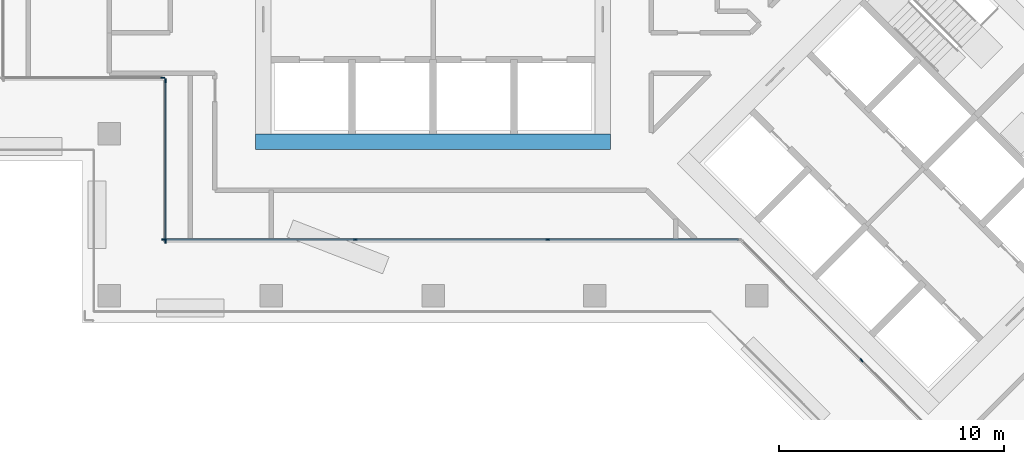
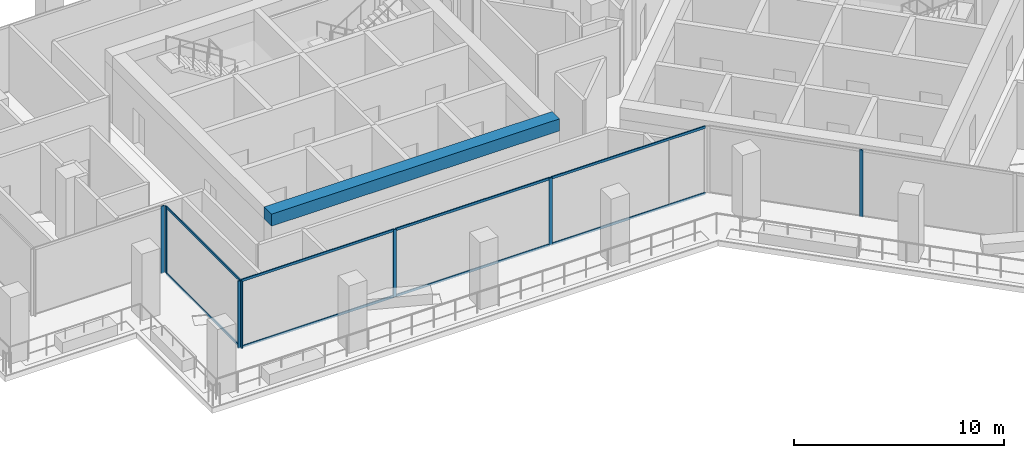
# One storey, part 3 of 21: 15 members, 1 beam, 4 elements without a shape of their own.
"""IFC4 building model written with IfcOpenShell, lengths in metres."""

from ifc_helpers import new_model, si_unit, direction, frame, origin, origin_2d, place, context, subcontext, project, spatial, rectangle, extrude, material, material_profile, profile_set, type_object, element, aggregate, save


model = new_model("IFC4")

# Units and contexts
model_context = context("Model", 3, precision=1e-05, world=origin(), true_north=direction((0.0, 1.0)))
body_context = subcontext(model_context, "Body", "Model", "MODEL_VIEW")
ifc_project = project(units=[si_unit("LENGTHUNIT", "METRE"), si_unit("AREAUNIT", "SQUARE_METRE"), si_unit("VOLUMEUNIT", "CUBIC_METRE"), si_unit("PLANEANGLEUNIT", "RADIAN"), si_unit("MASSUNIT", "GRAM", prefix="KILO")], contexts=[model_context])

# Site, building, storey
site_placement = place(None, origin())
site = spatial("IfcSite", under=ifc_project, at=site_placement, CompositionType="ELEMENT")
building_placement = place(site_placement, origin())
building = spatial("IfcBuilding", under=site, at=building_placement, Name="Windrow Commons", CompositionType="ELEMENT")
storey_placement = place(building_placement, frame((0.0, 0.0, 131.2)))
storey = spatial("IfcBuildingStorey", under=building, at=storey_placement, Name="L35", CompositionType="ELEMENT", Elevation=131.2)

# Curtain wall, member
ifc_material_1 = material(Name="Clear laminated glass in Aluminium 6063-T6 anodised frame", Category="aluminium")
curtain_wall_type = type_object("IfcCurtainWallType", Name="Curtain wall CW2M sky lounge mid", PredefinedType="USERDEFINED", material=ifc_material_1)
placement = place(storey_placement, origin())
curtain_wall_1 = element("IfcCurtainWall", 1, at=placement, inside=storey, type_object=curtain_wall_type, Name="Curtain wall CW2M L35 10", ObjectType="UNITISED", PredefinedType="USERDEFINED")
ifc_material_2 = material(Name="Aluminium 6063-T6", Category="aluminium")
ifc_material_profile_1 = material_profile(ifc_material_2, rectangle(XDim=0.06, YDim=0.18, at=origin_2d()))
ifc_profile_set_1 = profile_set([ifc_material_profile_1], Name="Aluminium 6063-T6")
member_type_1 = type_object("IfcMemberType", Name="CW2M mullion 60x180", PredefinedType="MULLION", material=ifc_profile_set_1)
member_1_placement = place(storey_placement, frame((52.77, 52.9, 0.0), z_axis=(0.0, 0.0, 1.0), x_axis=(0.0, 1.0, 0.0)))
member_1 = element("IfcMember", 2, at=member_1_placement, type_object=member_type_1, Name="CW2M mullion 2", PredefinedType="MULLION", context=body_context, shape_type="SweptSolid", body=[
    extrude(rectangle(XDim=0.06, YDim=0.18, at=origin_2d()), origin(), (0.0, 0.0, 1.0), 3.9),
])
aggregate(curtain_wall_1, [member_1])

# Curtain wall, members
curtain_wall_2 = element("IfcCurtainWall", 3, at=placement, inside=storey, type_object=curtain_wall_type, Name="Curtain wall CW2M L35 11", ObjectType="UNITISED", PredefinedType="USERDEFINED")
member_2_placement = place(storey_placement, frame((52.9, 52.77, 0.0), z_axis=(0.0, 0.0, 1.0), x_axis=(1.0, 0.0, 0.0)))
member_2 = element("IfcMember", 4, at=member_2_placement, type_object=member_type_1, Name="CW2M mullion 1", PredefinedType="MULLION", context=body_context, shape_type="SweptSolid", body=[
    extrude(rectangle(XDim=0.06, YDim=0.18, at=origin_2d()), origin(), (0.0, 0.0, 1.0), 3.9),
])
member_3_placement = place(storey_placement, frame((52.9, 45.63, 0.0), z_axis=(0.0, 0.0, 1.0), x_axis=(1.0, 0.0, 0.0)))
member_3 = element("IfcMember", 5, at=member_3_placement, type_object=member_type_1, Name="CW2M mullion 2", PredefinedType="MULLION", context=body_context, shape_type="SweptSolid", body=[
    extrude(rectangle(XDim=0.06, YDim=0.18, at=origin_2d()), origin(), (0.0, 0.0, 1.0), 3.9),
])

curtain_wall_3 = element("IfcCurtainWall", 6, at=placement, inside=storey, type_object=curtain_wall_type, Name="Curtain wall CW2M L35 12", ObjectType="UNITISED", PredefinedType="USERDEFINED")
member_4_placement = place(storey_placement, frame((52.83, 45.7, 0.0), z_axis=(0.0, 0.0, 1.0), x_axis=(0.0, 1.0, 0.0)))
member_4 = element("IfcMember", 7, at=member_4_placement, type_object=member_type_1, Name="CW2M mullion 1", PredefinedType="MULLION", context=body_context, shape_type="SweptSolid", body=[
    extrude(rectangle(XDim=0.06, YDim=0.18, at=origin_2d()), origin(), (0.0, 0.0, 1.0), 3.9),
])
member_5_placement = place(storey_placement, frame((61.349, 45.7, 0.0), z_axis=(0.0, 0.0, 1.0), x_axis=(0.0, 1.0, 0.0)))
member_5 = element("IfcMember", 8, at=member_5_placement, type_object=member_type_1, Name="CW2M mullion 2", PredefinedType="MULLION", context=body_context, shape_type="SweptSolid", body=[
    extrude(rectangle(XDim=0.06, YDim=0.18, at=origin_2d()), origin(), (0.0, 0.0, 1.0), 3.9),
])
member_6_placement = place(storey_placement, frame((69.8981, 45.7, 0.0), z_axis=(0.0, 0.0, 1.0), x_axis=(0.0, 1.0, 0.0)))
member_6 = element("IfcMember", 9, at=member_6_placement, type_object=member_type_1, Name="CW2M mullion 3", PredefinedType="MULLION", context=body_context, shape_type="SweptSolid", body=[
    extrude(rectangle(XDim=0.06, YDim=0.18, at=origin_2d()), origin(), (0.0, 0.0, 1.0), 3.9),
])

# Curtain wall, member
curtain_wall_4 = element("IfcCurtainWall", 10, at=placement, inside=storey, type_object=curtain_wall_type, Name="Curtain wall CW2M L35 13", ObjectType="UNITISED", PredefinedType="USERDEFINED")
member_7_placement = place(storey_placement, frame((83.8599, 40.3286, 0.0), z_axis=(0.0, 0.0, 1.0), x_axis=(0.7071067812, 0.7071067812, 0.0)))
member_7 = element("IfcMember", 11, at=member_7_placement, type_object=member_type_1, Name="CW2M mullion 2", PredefinedType="MULLION", context=body_context, shape_type="SweptSolid", body=[
    extrude(rectangle(XDim=0.06, YDim=0.18, at=origin_2d()), origin(), (0.0, 0.0, 1.0), 3.9),
])
aggregate(curtain_wall_4, [member_7])

# Member
ifc_material_3 = material(Name="Aluminium 6063-T6", Category="aluminium")
ifc_material_profile_2 = material_profile(ifc_material_3, rectangle(XDim=0.06, YDim=0.14, at=origin_2d()))
ifc_profile_set_2 = profile_set([ifc_material_profile_2], Name="Aluminium 6063-T6")
member_type_2 = type_object("IfcMemberType", Name="CW2M transom 60x140", PredefinedType="USERDEFINED", material=ifc_profile_set_2)
member_8_placement = place(storey_placement, frame((52.9, 52.74, 0.03), z_axis=(0.0, -1.0, 0.0), x_axis=(1.0, 0.0, 0.0)))
member_8 = element("IfcMember", 12, at=member_8_placement, type_object=member_type_2, Name="CW2M transom 1.1", ObjectType="TRANSOM", PredefinedType="USERDEFINED", context=body_context, shape_type="SweptSolid", body=[
    extrude(rectangle(XDim=0.06, YDim=0.14, at=origin_2d()), origin(), (0.0, 0.0, 1.0), 7.08),
])

member_9_placement = place(storey_placement, frame((52.9, 52.74, 3.87), z_axis=(0.0, -1.0, 0.0), x_axis=(1.0, 0.0, 0.0)))
member_9 = element("IfcMember", 13, at=member_9_placement, type_object=member_type_2, Name="CW2M transom 1.2", ObjectType="TRANSOM", PredefinedType="USERDEFINED", context=body_context, shape_type="SweptSolid", body=[
    extrude(rectangle(XDim=0.06, YDim=0.14, at=origin_2d()), origin(), (0.0, 0.0, 1.0), 7.08),
])

aggregate(curtain_wall_2, [member_2, member_3, member_8, member_9])

member_10_placement = place(storey_placement, frame((52.86, 45.7, 0.03), z_axis=(1.0, 0.0, 0.0), x_axis=(0.0, 1.0, 0.0)))
member_10 = element("IfcMember", 14, at=member_10_placement, type_object=member_type_2, Name="CW2M transom 1.1", ObjectType="TRANSOM", PredefinedType="USERDEFINED", context=body_context, shape_type="SweptSolid", body=[
    extrude(rectangle(XDim=0.06, YDim=0.14, at=origin_2d()), origin(), (0.0, 0.0, 1.0), 8.459),
])

member_11_placement = place(storey_placement, frame((52.86, 45.7, 3.87), z_axis=(1.0, 0.0, 0.0), x_axis=(0.0, 1.0, 0.0)))
member_11 = element("IfcMember", 15, at=member_11_placement, type_object=member_type_2, Name="CW2M transom 1.2", ObjectType="TRANSOM", PredefinedType="USERDEFINED", context=body_context, shape_type="SweptSolid", body=[
    extrude(rectangle(XDim=0.06, YDim=0.14, at=origin_2d()), origin(), (0.0, 0.0, 1.0), 8.459),
])

member_12_placement = place(storey_placement, frame((61.379, 45.7, 0.03), z_axis=(1.0, 0.0, 0.0), x_axis=(0.0, 1.0, 0.0)))
member_12 = element("IfcMember", 16, at=member_12_placement, type_object=member_type_2, Name="CW2M transom 2.1", ObjectType="TRANSOM", PredefinedType="USERDEFINED", context=body_context, shape_type="SweptSolid", body=[
    extrude(rectangle(XDim=0.06, YDim=0.14, at=origin_2d()), origin(), (0.0, 0.0, 1.0), 8.4891),
])

member_13_placement = place(storey_placement, frame((61.379, 45.7, 3.87), z_axis=(1.0, 0.0, 0.0), x_axis=(0.0, 1.0, 0.0)))
member_13 = element("IfcMember", 17, at=member_13_placement, type_object=member_type_2, Name="CW2M transom 2.2", ObjectType="TRANSOM", PredefinedType="USERDEFINED", context=body_context, shape_type="SweptSolid", body=[
    extrude(rectangle(XDim=0.06, YDim=0.14, at=origin_2d()), origin(), (0.0, 0.0, 1.0), 8.4891),
])

member_14_placement = place(storey_placement, frame((69.9281, 45.7, 0.03), z_axis=(1.0, 0.0, 0.0), x_axis=(0.0, 1.0, 0.0)))
member_14 = element("IfcMember", 18, at=member_14_placement, type_object=member_type_2, Name="CW2M transom 3.1", ObjectType="TRANSOM", PredefinedType="USERDEFINED", context=body_context, shape_type="SweptSolid", body=[
    extrude(rectangle(XDim=0.06, YDim=0.14, at=origin_2d()), origin(), (0.0, 0.0, 1.0), 8.459),
])

member_15_placement = place(storey_placement, frame((69.9281, 45.7, 3.87), z_axis=(1.0, 0.0, 0.0), x_axis=(0.0, 1.0, 0.0)))
member_15 = element("IfcMember", 19, at=member_15_placement, type_object=member_type_2, Name="CW2M transom 3.2", ObjectType="TRANSOM", PredefinedType="USERDEFINED", context=body_context, shape_type="SweptSolid", body=[
    extrude(rectangle(XDim=0.06, YDim=0.14, at=origin_2d()), origin(), (0.0, 0.0, 1.0), 8.459),
])

aggregate(curtain_wall_3, [member_4, member_5, member_6, member_10, member_11, member_12, member_13, member_14, member_15])

# Beam
ifc_material_4 = material(Name="Concrete C50/60", Category="concrete")
ifc_material_profile_3 = material_profile(ifc_material_4, rectangle(XDim=0.7, YDim=0.7, at=origin_2d()))
ifc_profile_set_3 = profile_set([ifc_material_profile_3], Name="Concrete C50/60")
beam_type = type_object("IfcBeamType", Name="RC COUPLING BEAM 700x700 C50/60", PredefinedType="LINTEL", material=ifc_profile_set_3)
beam_placement = place(storey_placement, frame((56.9, 50.05, 3.55), z_axis=(1.0, 0.0, 0.0), x_axis=(0.0, 1.0, 0.0)))
element("IfcBeam", 20, at=beam_placement, inside=storey, type_object=beam_type, Name="Core A coupling beam outer-S", PredefinedType="LINTEL", context=body_context, shape_type="SweptSolid", body=[
    extrude(rectangle(XDim=0.7, YDim=0.7, at=origin_2d()), origin(), (0.0, 0.0, 1.0), 15.8),
])

save(model, "model.ifc")
